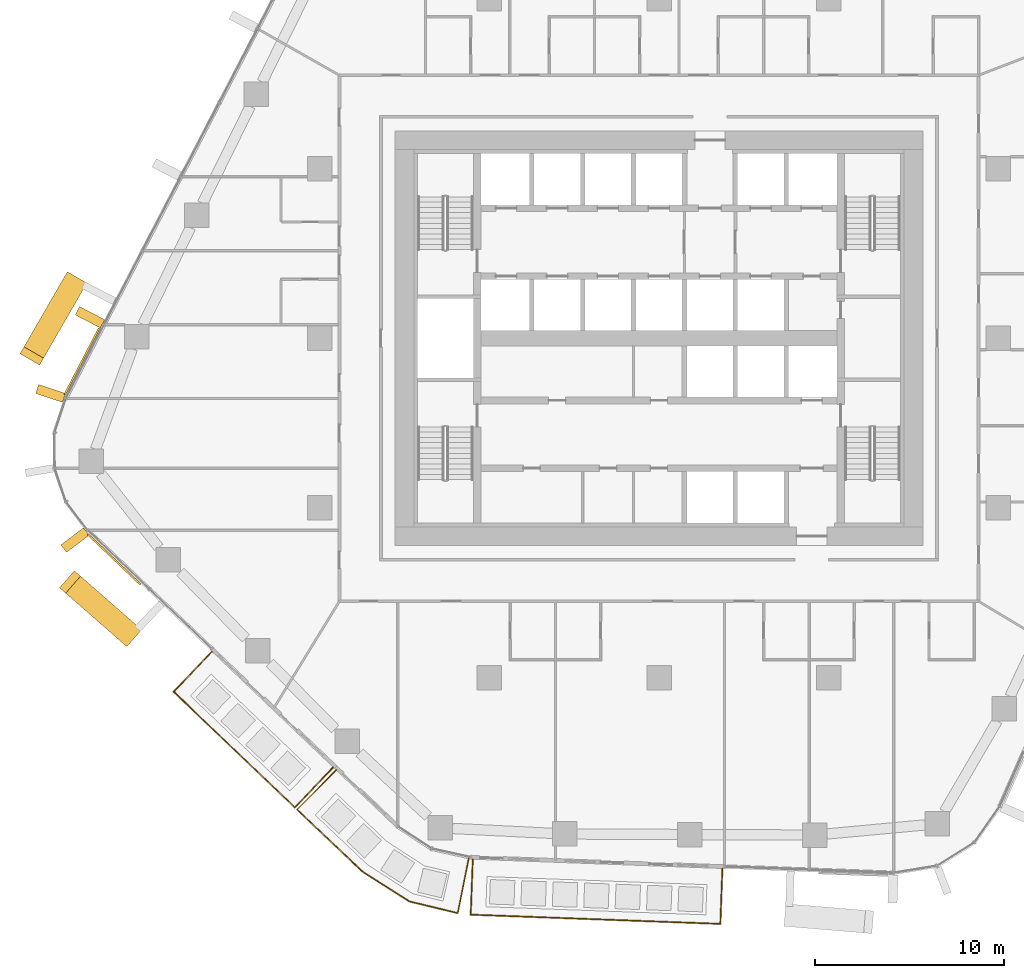
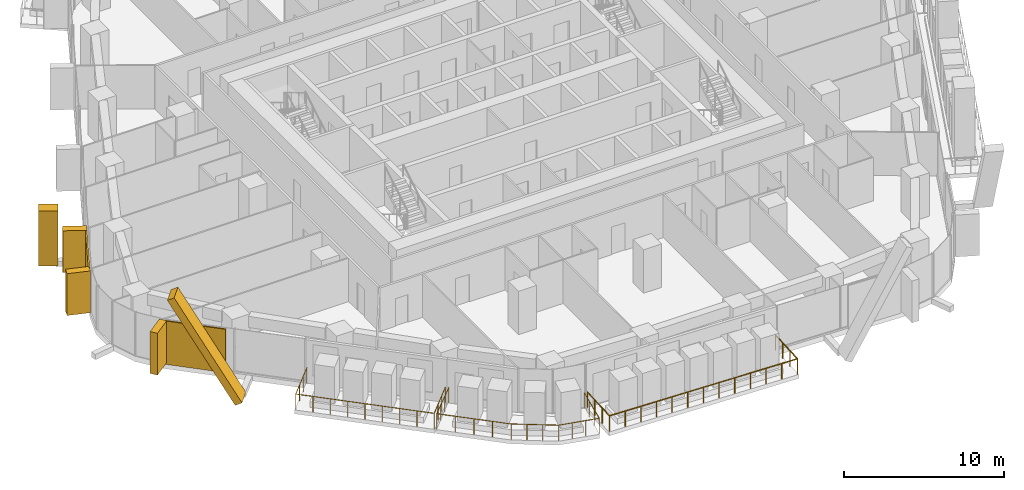
# One storey, part 19 of 24: 7 coverings, 3 railings, 3 elements without a shape of their own.
"""IFC4 building model written with IfcOpenShell, lengths in metres."""

import ifcopenshell
import ifcopenshell.guid

model = None  # the IFC model being written
_history = None  # IfcOwnerHistory: only IFC2X3 demands one
_inside = {}  # id of a spatial element -> (the spatial element, [elements in it])
_under = {}  # id of a project, library or spatial element -> (it, [spatial elements below it])
_declared = {}  # id of a project -> (the project, [libraries it declares])
_typed = {}  # id of a type object -> (the type object, [elements of that type])
_made_of = {}  # id of a material, layer set ... -> (it, [elements and type objects made of it])


def new_model(schema):
    """Start an empty IFC model of exactly this schema.

    Asked for "IFC4X3", IfcOpenShell would pick the latest addendum, in which some entities
    have other attributes; the version numbers below select the first issue.
    IFC2X3 requires an IfcOwnerHistory on every rooted entity: one is made here for all.
    """
    global model, _history
    if schema == "IFC4X3":
        model = ifcopenshell.file(schema_version=(4, 3, 0, 0))
    else:
        model = ifcopenshell.file(schema=schema)
    _inside.clear()
    _under.clear()
    _declared.clear()
    _typed.clear()
    _made_of.clear()
    _history = None
    if model.schema == "IFC2X3":
        org = make("IfcOrganization", Name="unknown")
        user = make(
            "IfcPersonAndOrganization",
            ThePerson=make("IfcPerson", FamilyName="unknown"),
            TheOrganization=org,
        )
        app = make(
            "IfcApplication",
            ApplicationDeveloper=org,
            Version="unknown",
            ApplicationFullName="unknown",
            ApplicationIdentifier="unknown",
        )
        _history = make(
            "IfcOwnerHistory",
            OwningUser=user,
            OwningApplication=app,
            ChangeAction="ADDED",
            CreationDate=0,
        )
    return model


def make(cls, **values):
    """One entity of the class cls with the attributes given. An attribute that is None is left unset."""
    return model.create_entity(
        cls, **{name: value for name, value in values.items() if value is not None}
    )


def rooted(cls, **values):
    """An entity with a GlobalId (a new one), such as an element, a storey or a relation."""
    return make(cls, GlobalId=ifcopenshell.guid.new(), OwnerHistory=_history, **values)


def si_unit(unit_type, name, prefix=None):
    """IfcSIUnit, for example si_unit("LENGTHUNIT", "METRE", prefix="MILLI")."""
    return make("IfcSIUnit", UnitType=unit_type, Prefix=prefix, Name=name)


def assignment(units):
    """IfcUnitAssignment: the units of a project."""
    return None if units is None else make("IfcUnitAssignment", Units=units)


def point(xyz):
    """IfcCartesianPoint."""
    return None if xyz is None else make("IfcCartesianPoint", Coordinates=xyz)


def direction(xyz):
    """IfcDirection."""
    return None if xyz is None else make("IfcDirection", DirectionRatios=xyz)


def frame(location, z_axis=None, x_axis=None):
    """IfcAxis2Placement3D, a coordinate frame: its origin and axes. An axis left out is left unset."""
    return make(
        "IfcAxis2Placement3D",
        Location=point(location),
        Axis=direction(z_axis),
        RefDirection=direction(x_axis),
    )


def frame_2d(location, x_axis=None):
    """IfcAxis2Placement2D, a coordinate frame in the plane: its origin and x axis."""
    return make(
        "IfcAxis2Placement2D", Location=point(location), RefDirection=direction(x_axis)
    )


def origin():
    """The frame at (0, 0, 0) with its axes left unset."""
    return frame((0.0, 0.0, 0.0))


def origin_2d():
    """The frame at (0, 0) in the plane with its x axis left unset."""
    return frame_2d((0.0, 0.0))


def place(relative_to, where):
    """IfcLocalPlacement: puts the frame where relative to a parent placement (None: the world)."""
    return make(
        "IfcLocalPlacement", PlacementRelTo=relative_to, RelativePlacement=where
    )


def context(
    kind, dimensions, precision=None, world=None, true_north=None, identifier=None
):
    """IfcGeometricRepresentationContext, for example the 3D "Model" context."""
    return make(
        "IfcGeometricRepresentationContext",
        ContextIdentifier=identifier,
        ContextType=kind,
        CoordinateSpaceDimension=dimensions,
        Precision=precision,
        WorldCoordinateSystem=world,
        TrueNorth=true_north,
    )


def subcontext(parent, identifier, kind, view, scale=None):
    """IfcGeometricRepresentationSubContext, for example "Body" below "Model"."""
    return make(
        "IfcGeometricRepresentationSubContext",
        ContextIdentifier=identifier,
        ContextType=kind,
        ParentContext=parent,
        TargetScale=scale,
        TargetView=view,
    )


def project(units=None, contexts=None):
    """IfcProject with its units and contexts."""
    return rooted(
        "IfcProject",
        Name="project",
        RepresentationContexts=contexts,
        UnitsInContext=assignment(units),
    )


def spatial(cls, under=None, at=None, **own):
    """A site, building, storey or space (cls), placed at a placement, below another one or the project."""
    s = rooted(cls, ObjectPlacement=at, **own)
    if under is not None:
        _under.setdefault(under.id(), (under, []))[1].append(s)
    return s


def profile(cls, at=None, kind="AREA", **sizes):
    """A parametric profile (cls). Its sizes go by their IFC names, for example OverallWidth=200.0."""
    return make(cls, ProfileType=kind, Position=at, **sizes)


def rectangle(**sizes):
    """IfcRectangleProfileDef."""
    return profile("IfcRectangleProfileDef", **sizes)


def circle(**sizes):
    """IfcCircleProfileDef."""
    return profile("IfcCircleProfileDef", **sizes)


def extrude(swept, where, along, depth):
    """IfcExtrudedAreaSolid: the profile swept, set in the frame where, extruded along a direction by depth."""
    return make(
        "IfcExtrudedAreaSolid",
        SweptArea=swept,
        Position=where,
        ExtrudedDirection=direction(along),
        Depth=depth,
    )


def shape(context_of_items, identifier, shape_type, items):
    """IfcShapeRepresentation: the items that make up one representation, for example the "Body"."""
    return make(
        "IfcShapeRepresentation",
        ContextOfItems=context_of_items,
        RepresentationIdentifier=identifier,
        RepresentationType=shape_type,
        Items=items,
    )


def material(Name=None, Category=None):
    """IfcMaterial."""
    return make("IfcMaterial", Name=Name, Category=Category)


def layer(
    of_material, thickness, ventilated=None, Name=None, Category=None, Priority=None
):
    """IfcMaterialLayer: one layer of a wall or slab, of a material (None: an air gap)."""
    return make(
        "IfcMaterialLayer",
        Material=of_material,
        LayerThickness=thickness,
        IsVentilated=ventilated,
        Name=Name,
        Category=Category,
        Priority=Priority,
    )


def layer_set(layers, Name=None):
    """IfcMaterialLayerSet."""
    return make("IfcMaterialLayerSet", MaterialLayers=layers, LayerSetName=Name)


def material_profile(
    of_material, cross_section, Name=None, Category=None, Priority=None
):
    """IfcMaterialProfile: a cross section and its material."""
    return make(
        "IfcMaterialProfile",
        Name=Name,
        Material=of_material,
        Profile=cross_section,
        Priority=Priority,
        Category=Category,
    )


def profile_set(profiles, Name=None, composite=None):
    """IfcMaterialProfileSet."""
    return make(
        "IfcMaterialProfileSet",
        Name=Name,
        MaterialProfiles=profiles,
        CompositeProfile=composite,
    )


def made_of(thing, what):
    """Note that an element or type object is made of a material, layer set ...; save() writes the relation."""
    if what is not None:
        _made_of.setdefault(what.id(), (what, []))[1].append(thing)
    return thing


def type_object(cls, material=None, **own):
    """A type object (cls), such as IfcWallType, which elements share."""
    return made_of(rooted(cls, **own), material)


def element(
    cls,
    number,
    at=None,
    inside=None,
    cuts=None,
    type_object=None,
    material=None,
    context=None,
    identifier="Body",
    shape_type=None,
    held_by="IfcProductDefinitionShape",
    body=None,
    shapes=None,
    **own,
):
    """One element of the class cls, such as IfcWall. Its Tag is "e" and its number.

    at: its placement. inside: the storey or other place that contains it. cuts: it is an
    opening in that element (IfcRelVoidsElement). A single representation is given by context,
    identifier, shape_type and body (its items); several are given by shapes. held_by: the class
    of the entity that holds the representations. save() writes the other relations.
    """
    e = rooted(cls, Tag="e%d" % number, ObjectPlacement=at, **own)
    if body is not None:
        shapes = [shape(context, identifier, shape_type, body)]
    if shapes is not None:
        e.Representation = make(held_by, Representations=shapes)
    if inside is not None:
        _inside.setdefault(inside.id(), (inside, []))[1].append(e)
    if cuts is not None:
        rooted(
            "IfcRelVoidsElement", RelatingBuildingElement=cuts, RelatedOpeningElement=e
        )
    if type_object is not None:
        _typed.setdefault(type_object.id(), (type_object, []))[1].append(e)
    return made_of(e, material)


def aggregate(whole, parts):
    """IfcRelAggregates: a whole, such as a stair, and the parts it consists of."""
    return rooted("IfcRelAggregates", RelatingObject=whole, RelatedObjects=parts)


def save(model, path):
    """Write the relations noted so far, then the file.

    IfcRelAggregates (storeys below a building ...), IfcRelContainedInSpatialStructure (elements
    in a storey), IfcRelDefinesByType, IfcRelAssociatesMaterial and IfcRelDeclares: one each for
    every whole, place, type object, material and project.
    """
    for whole, parts in _under.values():
        aggregate(whole, parts)
    for where, things in _inside.values():
        rooted(
            "IfcRelContainedInSpatialStructure",
            RelatedElements=things,
            RelatingStructure=where,
        )
    for kind, things in _typed.values():
        rooted("IfcRelDefinesByType", RelatedObjects=things, RelatingType=kind)
    for what, things in _made_of.values():
        rooted("IfcRelAssociatesMaterial", RelatedObjects=things, RelatingMaterial=what)
    for by, libraries in _declared.values():
        rooted("IfcRelDeclares", RelatingContext=by, RelatedDefinitions=libraries)
    model.write(path)


model = new_model("IFC4")

# Units and contexts
model_context = context("Model", 3, precision=1e-05, world=origin(), true_north=direction((0.0, 1.0)))
body_context = subcontext(model_context, "Body", "Model", "MODEL_VIEW")
ifc_project = project(units=[si_unit("LENGTHUNIT", "METRE"), si_unit("AREAUNIT", "SQUARE_METRE"), si_unit("VOLUMEUNIT", "CUBIC_METRE"), si_unit("PLANEANGLEUNIT", "RADIAN"), si_unit("MASSUNIT", "GRAM", prefix="KILO")], contexts=[model_context])

# Site, building, storey
site_placement = place(None, origin())
site = spatial("IfcSite", under=ifc_project, at=site_placement, CompositionType="ELEMENT")
building_placement = place(site_placement, origin())
building = spatial("IfcBuilding", under=site, at=building_placement, Name="Dongbaek Canopy Tower", CompositionType="ELEMENT")
storey_placement = place(building_placement, frame((0.0, 0.0, 113.699951171875)))
storey = spatial("IfcBuildingStorey", under=building, at=storey_placement, Name="L24", CompositionType="ELEMENT", Elevation=113.699951171875)

# Railings
ifc_material_1 = material(Name="Stainless steel", Category="steel")
railing_type = type_object("IfcRailingType", Name="Balcony balustrade 1200", PredefinedType="BALUSTRADE", material=ifc_material_1)
railing_1_placement = place(storey_placement, frame((-23.70751953125, -16.618896484375, 0.0)))
element("IfcRailing", 1, at=railing_1_placement, inside=storey, type_object=railing_type, Name="Balcony guard L24 3", PredefinedType="BALUSTRADE", context=body_context, shape_type="SweptSolid", body=[
    extrude(circle(Radius=0.02392578125, at=origin_2d()), frame((0.0, 0.0, 1.17578125), z_axis=(-0.690473771685, -0.723357429363, 0.0), x_axis=(0.723357429363, -0.690473771685, 0.0)), (0.0, 0.0, 1.0), 2.93994140625),
    extrude(circle(Radius=0.02392578125, at=origin_2d()), frame((-2.030029296875, -2.126708984375, 1.17578125), z_axis=(0.723350552631, -0.690480975848, 0.0), x_axis=(0.690480975848, 0.723350552631, 0.0)), (0.0, 0.0, 1.0), 8.88330078125),
    extrude(circle(Radius=0.02392578125, at=origin_2d()), frame((4.395751953125, -8.260498046875, 1.17578125), z_axis=(0.690473771685, 0.723357429363, 0.0), x_axis=(-0.723357429363, 0.690473771685, 0.0)), (0.0, 0.0, 1.0), 2.93994140625),
    extrude(circle(Radius=0.02099609375, at=origin_2d()), origin(), (0.0, 0.0, 1.0), 1.15185546875),
    extrude(circle(Radius=0.02099609375, at=origin_2d()), frame((-0.6767578125, -0.708984375, 0.0)), (0.0, 0.0, 1.0), 1.15185546875),
    extrude(circle(Radius=0.02099609375, at=origin_2d()), frame((-1.353271484375, -1.417724609375, 0.0)), (0.0, 0.0, 1.0), 1.15185546875),
    extrude(circle(Radius=0.02099609375, at=origin_2d()), frame((-2.030029296875, -2.126708984375, 0.0)), (0.0, 0.0, 1.0), 1.15185546875),
    extrude(circle(Radius=0.02099609375, at=origin_2d()), frame((-1.226806640625, -2.8935546875, 0.0)), (0.0, 0.0, 1.0), 1.15185546875),
    extrude(circle(Radius=0.02099609375, at=origin_2d()), frame((-0.423583984375, -3.66015625, 0.0)), (0.0, 0.0, 1.0), 1.15185546875),
    extrude(circle(Radius=0.02099609375, at=origin_2d()), frame((0.379638671875, -4.4267578125, 0.0)), (0.0, 0.0, 1.0), 1.15185546875),
    extrude(circle(Radius=0.02099609375, at=origin_2d()), frame((1.182861328125, -5.193603515625, 0.0)), (0.0, 0.0, 1.0), 1.15185546875),
    extrude(circle(Radius=0.02099609375, at=origin_2d()), frame((1.986083984375, -5.96044921875, 0.0)), (0.0, 0.0, 1.0), 1.15185546875),
    extrude(circle(Radius=0.02099609375, at=origin_2d()), frame((2.789306640625, -6.72705078125, 0.0)), (0.0, 0.0, 1.0), 1.15185546875),
    extrude(circle(Radius=0.02099609375, at=origin_2d()), frame((3.592529296875, -7.49365234375, 0.0)), (0.0, 0.0, 1.0), 1.15185546875),
    extrude(circle(Radius=0.02099609375, at=origin_2d()), frame((4.395751953125, -8.260498046875, 0.0)), (0.0, 0.0, 1.0), 1.15185546875),
    extrude(circle(Radius=0.02099609375, at=origin_2d()), frame((5.072509765625, -7.551513671875, 0.0)), (0.0, 0.0, 1.0), 1.15185546875),
    extrude(circle(Radius=0.02099609375, at=origin_2d()), frame((5.7490234375, -6.8427734375, 0.0)), (0.0, 0.0, 1.0), 1.15185546875),
    extrude(circle(Radius=0.02099609375, at=origin_2d()), frame((6.42578125, -6.1337890625, 0.0)), (0.0, 0.0, 1.0), 1.15185546875),
])
railing_2_placement = place(storey_placement, frame((-17.122802734375, -22.904541015625, 0.0)))
element("IfcRailing", 2, at=railing_2_placement, inside=storey, type_object=railing_type, Name="Balcony guard L24 8", PredefinedType="BALUSTRADE", context=body_context, shape_type="SweptSolid", body=[
    extrude(circle(Radius=0.02392578125, at=origin_2d()), frame((0.0, 0.0, 1.17578125), z_axis=(-0.705069681082, -0.709138029454, 0.0), x_axis=(0.709138029454, -0.705069681082, 0.0)), (0.0, 0.0, 1.0), 2.9404296875),
    extrude(circle(Radius=0.02392578125, at=origin_2d()), frame((-2.0732421875, -2.085205078125, 1.17578125), z_axis=(0.725076137079, -0.6886687124, 0.0), x_axis=(0.6886687124, 0.725076137079, 0.0)), (0.0, 0.0, 1.0), 4.767822265625),
    extrude(circle(Radius=0.02392578125, at=origin_2d()), frame((1.3837890625, -5.36865234375, 1.17578125), z_axis=(0.842627660144, -0.538496635422, 0.0), x_axis=(0.538496635422, 0.842627660144, 0.0)), (0.0, 0.0, 1.0), 2.96044921875),
    extrude(circle(Radius=0.02392578125, at=origin_2d()), frame((3.87841796875, -6.962890625, 1.17578125), z_axis=(0.972186668453, -0.234207347627, 0.0), x_axis=(0.234207347627, 0.972186668453, 0.0)), (0.0, 0.0, 1.0), 2.64453125),
    extrude(circle(Radius=0.02392578125, at=origin_2d()), frame((6.449462890625, -7.582275390625, 1.17578125), z_axis=(0.196515267577, 0.980500764716, 0.0), x_axis=(-0.980500764716, 0.196515267577, 0.0)), (0.0, 0.0, 1.0), 2.940673828125),
    extrude(circle(Radius=0.02099609375, at=origin_2d()), origin(), (0.0, 0.0, 1.0), 1.15185546875),
    extrude(circle(Radius=0.02099609375, at=origin_2d()), frame((-0.691162109375, -0.695068359375, 0.0)), (0.0, 0.0, 1.0), 1.15185546875),
    extrude(circle(Radius=0.02099609375, at=origin_2d()), frame((-1.382080078125, -1.39013671875, 0.0)), (0.0, 0.0, 1.0), 1.15185546875),
    extrude(circle(Radius=0.02099609375, at=origin_2d()), frame((-2.0732421875, -2.085205078125, 0.0)), (0.0, 0.0, 1.0), 1.15185546875),
    extrude(circle(Radius=0.02099609375, at=origin_2d()), frame((-1.208984375, -2.906005859375, 0.0)), (0.0, 0.0, 1.0), 1.15185546875),
    extrude(circle(Radius=0.02099609375, at=origin_2d()), frame((-0.3447265625, -3.72705078125, 0.0)), (0.0, 0.0, 1.0), 1.15185546875),
    extrude(circle(Radius=0.02099609375, at=origin_2d()), frame((0.51953125, -4.5478515625, 0.0)), (0.0, 0.0, 1.0), 1.15185546875),
    extrude(circle(Radius=0.02099609375, at=origin_2d()), frame((1.3837890625, -5.36865234375, 0.0)), (0.0, 0.0, 1.0), 1.15185546875),
    extrude(circle(Radius=0.02099609375, at=origin_2d()), frame((2.21533203125, -5.900146484375, 0.0)), (0.0, 0.0, 1.0), 1.15185546875),
    extrude(circle(Radius=0.02099609375, at=origin_2d()), frame((3.046875, -6.431396484375, 0.0)), (0.0, 0.0, 1.0), 1.15185546875),
    extrude(circle(Radius=0.02099609375, at=origin_2d()), frame((3.87841796875, -6.962890625, 0.0)), (0.0, 0.0, 1.0), 1.15185546875),
    extrude(circle(Radius=0.02099609375, at=origin_2d()), frame((4.7353515625, -7.16943359375, 0.0)), (0.0, 0.0, 1.0), 1.15185546875),
    extrude(circle(Radius=0.02099609375, at=origin_2d()), frame((5.592529296875, -7.375732421875, 0.0)), (0.0, 0.0, 1.0), 1.15185546875),
    extrude(circle(Radius=0.02099609375, at=origin_2d()), frame((6.449462890625, -7.582275390625, 0.0)), (0.0, 0.0, 1.0), 1.15185546875),
    extrude(circle(Radius=0.02099609375, at=origin_2d()), frame((6.64208984375, -6.62109375, 0.0)), (0.0, 0.0, 1.0), 1.15185546875),
    extrude(circle(Radius=0.02099609375, at=origin_2d()), frame((6.834716796875, -5.66015625, 0.0)), (0.0, 0.0, 1.0), 1.15185546875),
    extrude(circle(Radius=0.02099609375, at=origin_2d()), frame((7.02734375, -4.698974609375, 0.0)), (0.0, 0.0, 1.0), 1.15185546875),
])
railing_3_placement = place(storey_placement, frame((-9.878173828125, -27.63134765625, 0.0)))
element("IfcRailing", 3, at=railing_3_placement, inside=storey, type_object=railing_type, Name="Balcony guard L24 4", PredefinedType="BALUSTRADE", context=body_context, shape_type="SweptSolid", body=[
    extrude(circle(Radius=0.02392578125, at=origin_2d()), frame((0.0, 0.0, 1.17578125), z_axis=(-0.036870376026, -0.999320056524, 0.0), x_axis=(0.999320056524, -0.036870376026, 0.0)), (0.0, 0.0, 1.0), 2.93994140625),
    extrude(circle(Radius=0.02392578125, at=origin_2d()), frame((-0.1083984375, -2.93798828125, 1.17578125), z_axis=(0.999320023689, -0.036871265971, 0.0), x_axis=(0.036871265971, 0.999320023689, 0.0)), (0.0, 0.0, 1.0), 13.24951171875),
    extrude(circle(Radius=0.02392578125, at=origin_2d()), frame((13.132080078125, -3.426513671875, 1.17578125), z_axis=(0.036870376026, 0.999320056524, 0.0), x_axis=(-0.999320056524, 0.036870376026, 0.0)), (0.0, 0.0, 1.0), 2.93994140625),
    extrude(circle(Radius=0.02099609375, at=origin_2d()), origin(), (0.0, 0.0, 1.0), 1.15185546875),
    extrude(circle(Radius=0.02099609375, at=origin_2d()), frame((-0.0361328125, -0.979248046875, 0.0)), (0.0, 0.0, 1.0), 1.15185546875),
    extrude(circle(Radius=0.02099609375, at=origin_2d()), frame((-0.072265625, -1.958740234375, 0.0)), (0.0, 0.0, 1.0), 1.15185546875),
    extrude(circle(Radius=0.02099609375, at=origin_2d()), frame((-0.1083984375, -2.93798828125, 0.0)), (0.0, 0.0, 1.0), 1.15185546875),
    extrude(circle(Radius=0.02099609375, at=origin_2d()), frame((0.994873046875, -2.978759765625, 0.0)), (0.0, 0.0, 1.0), 1.15185546875),
    extrude(circle(Radius=0.02099609375, at=origin_2d()), frame((2.098388671875, -3.01953125, 0.0)), (0.0, 0.0, 1.0), 1.15185546875),
    extrude(circle(Radius=0.02099609375, at=origin_2d()), frame((3.20166015625, -3.06005859375, 0.0)), (0.0, 0.0, 1.0), 1.15185546875),
    extrude(circle(Radius=0.02099609375, at=origin_2d()), frame((4.30517578125, -3.100830078125, 0.0)), (0.0, 0.0, 1.0), 1.15185546875),
    extrude(circle(Radius=0.02099609375, at=origin_2d()), frame((5.408447265625, -3.1416015625, 0.0)), (0.0, 0.0, 1.0), 1.15185546875),
    extrude(circle(Radius=0.02099609375, at=origin_2d()), frame((6.51171875, -3.18212890625, 0.0)), (0.0, 0.0, 1.0), 1.15185546875),
    extrude(circle(Radius=0.02099609375, at=origin_2d()), frame((7.615234375, -3.222900390625, 0.0)), (0.0, 0.0, 1.0), 1.15185546875),
    extrude(circle(Radius=0.02099609375, at=origin_2d()), frame((8.718505859375, -3.263671875, 0.0)), (0.0, 0.0, 1.0), 1.15185546875),
    extrude(circle(Radius=0.02099609375, at=origin_2d()), frame((9.822021484375, -3.304443359375, 0.0)), (0.0, 0.0, 1.0), 1.15185546875),
    extrude(circle(Radius=0.02099609375, at=origin_2d()), frame((10.92529296875, -3.34521484375, 0.0)), (0.0, 0.0, 1.0), 1.15185546875),
    extrude(circle(Radius=0.02099609375, at=origin_2d()), frame((12.02880859375, -3.3857421875, 0.0)), (0.0, 0.0, 1.0), 1.15185546875),
    extrude(circle(Radius=0.02099609375, at=origin_2d()), frame((13.132080078125, -3.426513671875, 0.0)), (0.0, 0.0, 1.0), 1.15185546875),
    extrude(circle(Radius=0.02099609375, at=origin_2d()), frame((13.168212890625, -2.447265625, 0.0)), (0.0, 0.0, 1.0), 1.15185546875),
    extrude(circle(Radius=0.02099609375, at=origin_2d()), frame((13.204345703125, -1.4677734375, 0.0)), (0.0, 0.0, 1.0), 1.15185546875),
    extrude(circle(Radius=0.02099609375, at=origin_2d()), frame((13.240478515625, -0.488525390625, 0.0)), (0.0, 0.0, 1.0), 1.15185546875),
])

# Curtain wall, covering
ifc_material_2 = material(Name="Aluminium 6063-T6 pale anodised", Category="aluminium")
ifc_layer_1 = layer(ifc_material_2, 0.199951171875)
ifc_layer_set_1 = layer_set([ifc_layer_1], Name="CW-1 unitised tower curtain wall")
curtain_wall_type = type_object("IfcCurtainWallType", Name="CW-1 unitised tower curtain wall", PredefinedType="NOTDEFINED", material=ifc_layer_set_1)
curtain_wall_1_placement = place(storey_placement, origin())
curtain_wall_1 = element("IfcCurtainWall", 4, at=curtain_wall_1_placement, inside=storey, type_object=curtain_wall_type, Name="CW-1 curtain wall F2.1", PredefinedType="NOTDEFINED")
ifc_material_3 = material(Name="Aluminium 6063-T6 pale metal fin", Category="aluminium")
ifc_material_profile_1 = material_profile(ifc_material_3, rectangle(XDim=1.199951171875, YDim=0.5, at=origin_2d()), Name="Crease fin CF1 500 x 1200 pale metal")
ifc_profile_set_1 = profile_set([ifc_material_profile_1], Name="Aluminium 6063-T6 pale metal fin")
covering_type_1 = type_object("IfcCoveringType", Name="Crease fin CF1 500 x 1200 pale metal", PredefinedType="CLADDING", material=ifc_profile_set_1)
covering_1_placement = place(storey_placement, frame((-30.96826171875, 3.04443359375, -0.199951171875), z_axis=(-0.263755653577, -0.456969071467, 0.849477617674), x_axis=(0.866087410283, -0.499892586211, 0.0)))
covering_1 = element("IfcCovering", 5, at=covering_1_placement, type_object=covering_type_1, Name="Crease fin L24 L26 F2", PredefinedType="CLADDING", context=body_context, shape_type="SweptSolid", body=[
    extrude(rectangle(XDim=1.199951171875, YDim=0.5, at=origin_2d()), origin(), (0.0, 0.0, 1.0), 8.711181640625),
])

curtain_wall_2_placement = place(storey_placement, origin())
curtain_wall_2 = element("IfcCurtainWall", 6, at=curtain_wall_2_placement, inside=storey, type_object=curtain_wall_type, Name="CW-1 curtain wall F3.1", PredefinedType="NOTDEFINED")
covering_2_placement = place(storey_placement, frame((-27.993896484375, -15.7646484375, -0.199951171875), z_axis=(-0.378838533216, 0.331633370612, 0.864002704422), x_axis=(-0.658672936925, -0.752429373538, 0.0)))
covering_2 = element("IfcCovering", 7, at=covering_2_placement, type_object=covering_type_1, Name="Crease fin L24 L26 F3", PredefinedType="CLADDING", context=body_context, shape_type="SweptSolid", body=[
    extrude(rectangle(XDim=1.199951171875, YDim=0.5, at=origin_2d()), origin(), (0.0, 0.0, 1.0), 8.564697265625),
])

# Covering
ifc_material_4 = material(Name="Perforated aluminium 6063-T6 pale metal screen", Category="aluminium")
ifc_layer_2 = layer(ifc_material_4, 0.10009765625)
ifc_layer_set_2 = layer_set([ifc_layer_2], Name="Facet screen FS1 100 pale metal")
covering_type_2 = type_object("IfcCoveringType", Name="Facet screen FS1 100 pale metal", PredefinedType="CLADDING", material=ifc_layer_set_2)
covering_3_placement = place(storey_placement, frame((-30.60595703125, -1.2265625, 0.0), z_axis=(0.0, 0.0, 1.0), x_axis=(-0.460879893376, -0.887462519706, 0.0)))
covering_3 = element("IfcCovering", 8, at=covering_3_placement, type_object=covering_type_2, Name="Facet screen L24 F2", PredefinedType="CLADDING", context=body_context, shape_type="SweptSolid", body=[
    extrude(rectangle(XDim=3.96728515625, YDim=0.10009765625, at=origin_2d()), origin(), (0.0, 0.0, 1.0), 3.300048828125),
])

covering_4_placement = place(storey_placement, frame((-28.888427734375, -11.737060546875, 0.0), z_axis=(0.0, 0.0, 1.0), x_axis=(0.723349279316, -0.690482309776, 0.0)))
covering_4 = element("IfcCovering", 9, at=covering_4_placement, type_object=covering_type_2, Name="Facet screen L24 F3", PredefinedType="CLADDING", context=body_context, shape_type="SweptSolid", body=[
    extrude(rectangle(XDim=3.8662109375, YDim=0.10009765625, at=origin_2d()), origin(), (0.0, 0.0, 1.0), 3.300048828125),
])

aggregate(curtain_wall_2, [covering_2, covering_4])

ifc_material_5 = material(Name="Aluminium 6063-T6 pale metal fin", Category="aluminium")
ifc_material_profile_2 = material_profile(ifc_material_5, rectangle(XDim=1.5, YDim=0.5, at=origin_2d()), Name="Fin FN1 500 x 1500 pale metal")
ifc_profile_set_2 = profile_set([ifc_material_profile_2], Name="Aluminium 6063-T6 pale metal fin")
covering_type_3 = type_object("IfcCoveringType", Name="Fin FN1 500 x 1500 pale metal", PredefinedType="CLADDING", material=ifc_profile_set_2)
covering_5_placement = place(storey_placement, frame((-30.182861328125, 1.11572265625, 0.1201171875), z_axis=(0.0, 0.0, 1.0), x_axis=(-0.887462609411, 0.460879720641, 0.0)))
covering_5 = element("IfcCovering", 10, at=covering_5_placement, type_object=covering_type_3, Name="Fin F2.1.7", PredefinedType="CLADDING", context=body_context, shape_type="SweptSolid", body=[
    extrude(rectangle(XDim=1.5, YDim=0.5, at=origin_2d()), origin(), (0.0, 0.0, 1.0), 3.179931640625),
])

aggregate(curtain_wall_1, [covering_5, covering_1, covering_3])

# Curtain wall, coverings
curtain_wall_3_placement = place(storey_placement, origin())
curtain_wall_3 = element("IfcCurtainWall", 11, at=curtain_wall_3_placement, inside=storey, type_object=curtain_wall_type, Name="CW-1 curtain wall K3.1", PredefinedType="NOTDEFINED")
covering_6_placement = place(storey_placement, frame((-32.268798828125, -2.925048828125, 0.1201171875), z_axis=(0.0, 0.0, 1.0), x_axis=(-0.949852370593, 0.31269869536, 0.0)))
covering_6 = element("IfcCovering", 12, at=covering_6_placement, type_object=covering_type_3, Name="Fin K3.1.1", PredefinedType="CLADDING", context=body_context, shape_type="SweptSolid", body=[
    extrude(rectangle(XDim=1.5, YDim=0.5, at=origin_2d()), origin(), (0.0, 0.0, 1.0), 3.179931640625),
])
covering_7_placement = place(storey_placement, frame((-30.97509765625, -10.703369140625, 0.1201171875), z_axis=(0.0, 0.0, 1.0), x_axis=(-0.797481377097, -0.603343561483, 0.0)))
covering_7 = element("IfcCovering", 13, at=covering_7_placement, type_object=covering_type_3, Name="Fin K3.1.5", PredefinedType="CLADDING", context=body_context, shape_type="SweptSolid", body=[
    extrude(rectangle(XDim=1.5, YDim=0.5, at=origin_2d()), origin(), (0.0, 0.0, 1.0), 3.179931640625),
])
aggregate(curtain_wall_3, [covering_6, covering_7])

save(model, "model.ifc")
